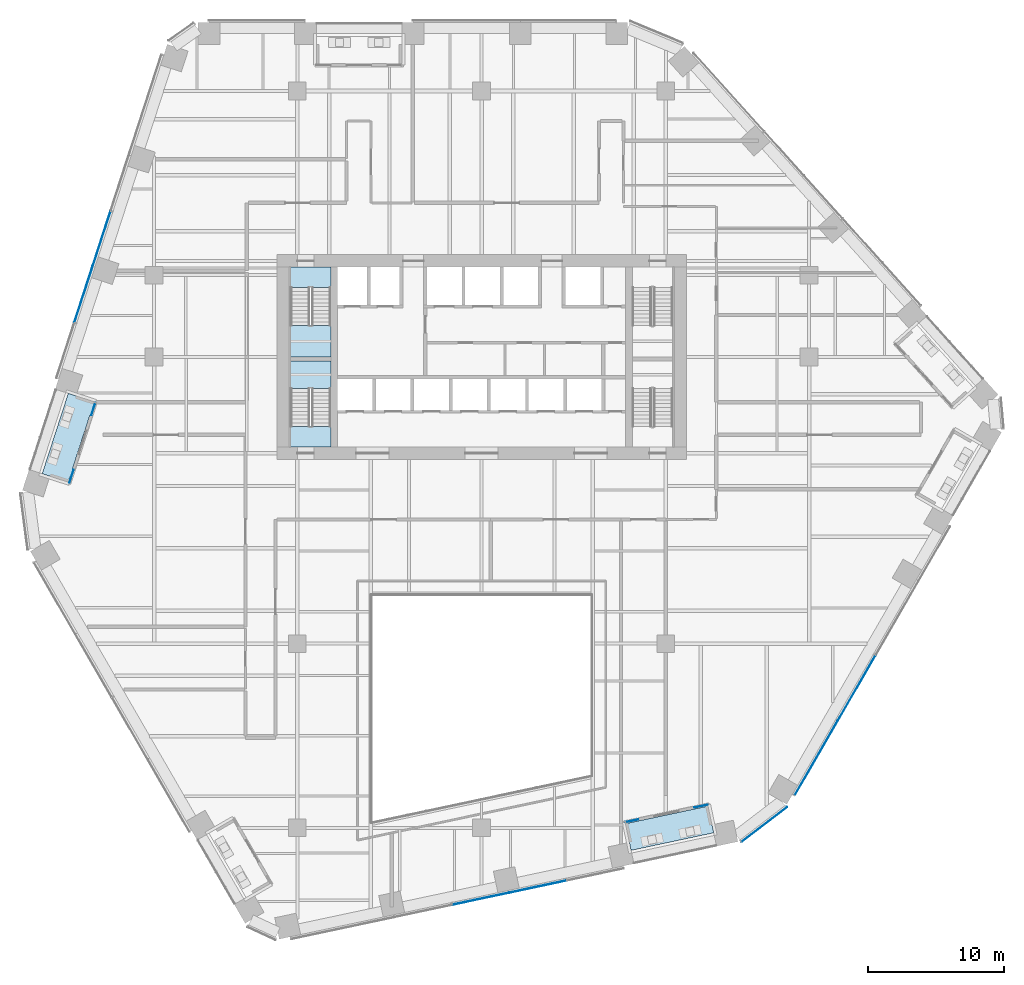
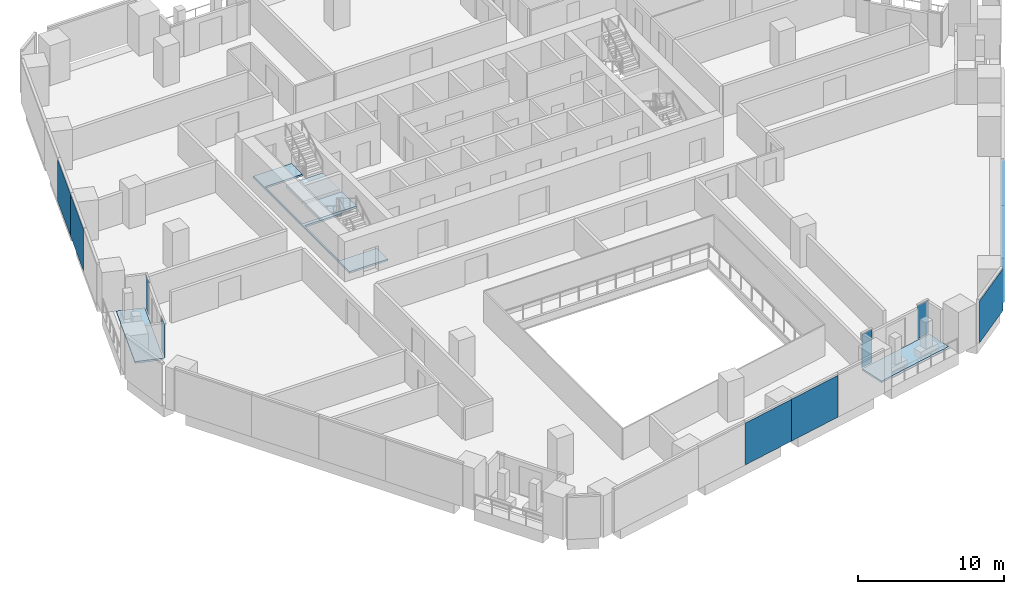
# One storey, part 18 of 31: 11 plates, 5 slabs, 8 elements without a shape of their own.
"""IFC4 building model written with IfcOpenShell, lengths in metres."""

from ifc_helpers import new_model, si_unit, direction, frame, origin, origin_2d, place, context, subcontext, project, spatial, polyline, rectangle, outline, extrude, material, layer, layer_set, type_object, element, aggregate, save


model = new_model("IFC4")

# Units and contexts
model_context = context("Model", 3, precision=1e-05, world=origin(), true_north=direction((0.0, 1.0)))
body_context = subcontext(model_context, "Body", "Model", "MODEL_VIEW")
ifc_project = project(units=[si_unit("LENGTHUNIT", "METRE"), si_unit("AREAUNIT", "SQUARE_METRE"), si_unit("VOLUMEUNIT", "CUBIC_METRE"), si_unit("PLANEANGLEUNIT", "RADIAN"), si_unit("MASSUNIT", "GRAM", prefix="KILO")], contexts=[model_context])

# Site, building, storey
site_placement = place(None, origin())
site = spatial("IfcSite", under=ifc_project, at=site_placement, CompositionType="ELEMENT")
building_placement = place(site_placement, origin())
building = spatial("IfcBuilding", under=site, at=building_placement, Name="Isthmus Gate Tower", CompositionType="ELEMENT")
storey_placement = place(building_placement, frame((0.0, 0.0, 113.5)))
storey = spatial("IfcBuildingStorey", under=building, at=storey_placement, Name="L27", CompositionType="ELEMENT", Elevation=113.5)

# Slab
ifc_material_1 = material(Name="Concrete f'c 40 MPa", Category="concrete")
ifc_layer_1 = layer(ifc_material_1, 0.14990234375)
ifc_layer_set_1 = layer_set([ifc_layer_1], Name="CORE FLOOR SLAB 150")
slab_type_1 = type_object("IfcSlabType", Name="CORE FLOOR SLAB 150", PredefinedType="FLOOR", material=ifc_layer_set_1)
slab_1_placement = place(storey_placement, frame((0.0, 0.0, -0.14990234375)))
element("IfcSlab", 1, at=slab_1_placement, inside=storey, type_object=slab_type_1, Name="L27 core floor", PredefinedType="FLOOR", context=body_context, shape_type="SweptSolid", body=[
    extrude(outline(polyline([(-11.050048828125, 0.89990234375), (-11.050048828125, 2.402099609375), (-14.0, 2.402099609375), (-14.0, 7.199951171875), (-11.050048828125, 7.199951171875), (-11.050048828125, 7.5), (-14.0, 7.5), (-14.0, 12.597900390625), (-11.050048828125, 12.597900390625), (-11.050048828125, 14.10009765625), (-14.10009765625, 14.10009765625), (-14.10009765625, 0.89990234375), (-11.050048828125, 0.89990234375)])), origin(), (0.0, 0.0, 1.0), 0.14990234375),
])

# Curtain wall, plates
ifc_material_2 = material(Name="Aluminium, pale champagne anodised", Category="aluminium")
ifc_layer_2 = layer(ifc_material_2, 0.199951171875)
ifc_layer_set_2 = layer_set([ifc_layer_2], Name="CW-1 UNITISED CURTAIN WALL 200 DEEP")
curtain_wall_type_1 = type_object("IfcCurtainWallType", Name="CW-1 UNITISED CURTAIN WALL 200 DEEP", PredefinedType="NOTDEFINED", material=ifc_layer_set_2)
curtain_wall_1_placement = place(storey_placement, origin())
curtain_wall_1 = element("IfcCurtainWall", 2, at=curtain_wall_1_placement, inside=storey, type_object=curtain_wall_type_1, Name="CW-1 NW L27", PredefinedType="NOTDEFINED")
ifc_material_3 = material(Name="Laminated low-iron glass, pale blue tint", Category="glass")
ifc_layer_3 = layer(ifc_material_3, 0.0400390625)
ifc_layer_set_3 = layer_set([ifc_layer_3], Name="CW-1 CLEAR GLASS LITE 40")
plate_type_1 = type_object("IfcPlateType", Name="CW-1 CLEAR GLASS LITE 40", PredefinedType="CURTAIN_PANEL", material=ifc_layer_set_3)
plate_1_placement = place(storey_placement, frame((-27.8544921875, 16.146484375, 0.0), z_axis=(0.0, 0.0, 1.0), x_axis=(-0.309016994375, -0.951056516295, 0.0)))
plate_1 = element("IfcPlate", 3, at=plate_1_placement, type_object=plate_type_1, Name="CW-1 glass lite", PredefinedType="CURTAIN_PANEL", context=body_context, shape_type="SweptSolid", body=[
    extrude(rectangle(XDim=4.234619140625, YDim=0.0400390625, at=origin_2d()), origin(), (0.0, 0.0, 1.0), 3.5),
])
plate_2_placement = place(storey_placement, frame((-29.17236328125, 12.09033203125, 0.0), z_axis=(0.0, 0.0, 1.0), x_axis=(-0.309016994375, -0.951056516295, 0.0)))
plate_2 = element("IfcPlate", 4, at=plate_2_placement, type_object=plate_type_1, Name="CW-1 glass lite", PredefinedType="CURTAIN_PANEL", context=body_context, shape_type="SweptSolid", body=[
    extrude(rectangle(XDim=4.294677734375, YDim=0.0400390625, at=origin_2d()), origin(), (0.0, 0.0, 1.0), 3.5),
])
aggregate(curtain_wall_1, [plate_1, plate_2])

curtain_wall_2_placement = place(storey_placement, origin())
curtain_wall_2 = element("IfcCurtainWall", 5, at=curtain_wall_2_placement, inside=storey, type_object=curtain_wall_type_1, Name="CW-1 S L27", PredefinedType="NOTDEFINED")
plate_3_placement = place(storey_placement, frame((-0.055908203125, -32.19580078125, 0.0), z_axis=(0.0, 0.0, 1.0), x_axis=(0.978147600734, 0.207911690818, 0.0)))
plate_3 = element("IfcPlate", 6, at=plate_3_placement, type_object=plate_type_1, Name="CW-1 glass lite", PredefinedType="CURTAIN_PANEL", context=body_context, shape_type="SweptSolid", body=[
    extrude(rectangle(XDim=4.234619140625, YDim=0.0400390625, at=origin_2d()), origin(), (0.0, 0.0, 1.0), 3.5),
])
plate_4_placement = place(storey_placement, frame((4.115478515625, -31.309326171875, 0.0), z_axis=(0.0, 0.0, 1.0), x_axis=(0.978147600734, 0.207911690818, 0.0)))
plate_4 = element("IfcPlate", 7, at=plate_4_placement, type_object=plate_type_1, Name="CW-1 glass lite", PredefinedType="CURTAIN_PANEL", context=body_context, shape_type="SweptSolid", body=[
    extrude(rectangle(XDim=4.294677734375, YDim=0.0400390625, at=origin_2d()), origin(), (0.0, 0.0, 1.0), 3.5),
])
aggregate(curtain_wall_2, [plate_3, plate_4])

# Curtain wall, plate
curtain_wall_3_placement = place(storey_placement, origin())
curtain_wall_3 = element("IfcCurtainWall", 8, at=curtain_wall_3_placement, inside=storey, type_object=curtain_wall_type_1, Name="CW-1 S-SE L27", PredefinedType="NOTDEFINED")
plate_5_placement = place(storey_placement, frame((20.711669921875, -26.75732421875, 0.0), z_axis=(0.0, 0.0, 1.0), x_axis=(0.794188594387, 0.607671355706, 0.0)))
plate_5 = element("IfcPlate", 9, at=plate_5_placement, type_object=plate_type_1, Name="CW-1 glass lite", PredefinedType="CURTAIN_PANEL", context=body_context, shape_type="SweptSolid", body=[
    extrude(rectangle(XDim=4.181396484375, YDim=0.0400390625, at=origin_2d()), origin(), (0.0, 0.0, 1.0), 3.5),
])
aggregate(curtain_wall_3, [plate_5])

# Curtain wall, plates
curtain_wall_4_placement = place(storey_placement, origin())
curtain_wall_4 = element("IfcCurtainWall", 10, at=curtain_wall_4_placement, inside=storey, type_object=curtain_wall_type_1, Name="CW-1 SE L27", PredefinedType="NOTDEFINED")
plate_6_placement = place(storey_placement, frame((24.517333984375, -21.89453125, 0.0), z_axis=(0.0, 0.0, 1.0), x_axis=(0.5, 0.866025403784, 0.0)))
plate_6 = element("IfcPlate", 11, at=plate_6_placement, type_object=plate_type_1, Name="CW-1 glass lite", PredefinedType="CURTAIN_PANEL", context=body_context, shape_type="SweptSolid", body=[
    extrude(rectangle(XDim=6.278564453125, YDim=0.0400390625, at=origin_2d()), origin(), (0.0, 0.0, 1.0), 3.5),
])
plate_7_placement = place(storey_placement, frame((27.4716796875, -16.777587890625, 0.0), z_axis=(0.0, 0.0, 1.0), x_axis=(0.5, 0.866025403784, 0.0)))
plate_7 = element("IfcPlate", 12, at=plate_7_placement, type_object=plate_type_1, Name="CW-1 glass lite", PredefinedType="CURTAIN_PANEL", context=body_context, shape_type="SweptSolid", body=[
    extrude(rectangle(XDim=5.53857421875, YDim=0.0400390625, at=origin_2d()), origin(), (0.0, 0.0, 1.0), 3.5),
])
aggregate(curtain_wall_4, [plate_6, plate_7])

ifc_material_4 = material(Name="Aluminium, pale champagne anodised", Category="aluminium")
ifc_layer_4 = layer(ifc_material_4, 0.14990234375)
ifc_layer_set_4 = layer_set([ifc_layer_4], Name="CW-6 LOGGIA BACK WALL GLAZING 150 DEEP")
curtain_wall_type_2 = type_object("IfcCurtainWallType", Name="CW-6 LOGGIA BACK WALL GLAZING 150 DEEP", PredefinedType="NOTDEFINED", material=ifc_layer_set_4)
curtain_wall_5_placement = place(storey_placement, origin())
curtain_wall_5 = element("IfcCurtainWall", 13, at=curtain_wall_5_placement, inside=storey, type_object=curtain_wall_type_2, Name="CW-6 NW L27", PredefinedType="NOTDEFINED")
ifc_material_5 = material(Name="Laminated low-iron glass, clear", Category="glass")
ifc_layer_5 = layer(ifc_material_5, 0.031982421875)
ifc_layer_set_5 = layer_set([ifc_layer_5], Name="CW-6 CLEAR GLASS LITE 32")
plate_type_2 = type_object("IfcPlateType", Name="CW-6 CLEAR GLASS LITE 32", PredefinedType="CURTAIN_PANEL", material=ifc_layer_set_5)
plate_8_placement = place(storey_placement, frame((-28.453857421875, 3.687744140625, 0.0), z_axis=(0.0, 0.0, 1.0), x_axis=(-0.309016994375, -0.951056516295, 0.0)))
plate_8 = element("IfcPlate", 14, at=plate_8_placement, type_object=plate_type_2, Name="CW-6 glass lite", PredefinedType="CURTAIN_PANEL", context=body_context, shape_type="SweptSolid", body=[
    extrude(rectangle(XDim=0.9345703125, YDim=0.031982421875, at=origin_2d()), origin(), (0.0, 0.0, 1.0), 2.780029296875),
])
plate_9_placement = place(storey_placement, frame((-30.0498046875, -1.22412109375, 0.0), z_axis=(0.0, 0.0, 1.0), x_axis=(-0.309016994375, -0.951056516295, 0.0)))
plate_9 = element("IfcPlate", 15, at=plate_9_placement, type_object=plate_type_2, Name="CW-6 glass lite", PredefinedType="CURTAIN_PANEL", context=body_context, shape_type="SweptSolid", body=[
    extrude(rectangle(XDim=0.99462890625, YDim=0.031982421875, at=origin_2d()), origin(), (0.0, 0.0, 1.0), 2.780029296875),
])
aggregate(curtain_wall_5, [plate_8, plate_9])

curtain_wall_6_placement = place(storey_placement, origin())
curtain_wall_6 = element("IfcCurtainWall", 16, at=curtain_wall_6_placement, inside=storey, type_object=curtain_wall_type_2, Name="CW-6 S L27", PredefinedType="NOTDEFINED")
plate_10_placement = place(storey_placement, frame((11.033203125, -26.485595703125, 0.0), z_axis=(0.0, 0.0, 1.0), x_axis=(0.978147600734, 0.207911690818, 0.0)))
plate_10 = element("IfcPlate", 17, at=plate_10_placement, type_object=plate_type_2, Name="CW-6 glass lite", PredefinedType="CURTAIN_PANEL", context=body_context, shape_type="SweptSolid", body=[
    extrude(rectangle(XDim=0.9345703125, YDim=0.031982421875, at=origin_2d()), origin(), (0.0, 0.0, 1.0), 2.780029296875),
])
plate_11_placement = place(storey_placement, frame((16.0849609375, -25.411865234375, 0.0), z_axis=(0.0, 0.0, 1.0), x_axis=(0.978147600734, 0.207911690818, 0.0)))
plate_11 = element("IfcPlate", 18, at=plate_11_placement, type_object=plate_type_2, Name="CW-6 glass lite", PredefinedType="CURTAIN_PANEL", context=body_context, shape_type="SweptSolid", body=[
    extrude(rectangle(XDim=0.99462890625, YDim=0.031982421875, at=origin_2d()), origin(), (0.0, 0.0, 1.0), 2.780029296875),
])
aggregate(curtain_wall_6, [plate_10, plate_11])

# Slabs
ifc_material_6 = material(Name="Concrete f'c 50 MPa", Category="concrete")
ifc_layer_6 = layer(ifc_material_6, 0.14990234375)
ifc_layer_set_6 = layer_set([ifc_layer_6], Name="LOGGIA FLOOR SLAB 150")
slab_type_2 = type_object("IfcSlabType", Name="LOGGIA FLOOR SLAB 150", PredefinedType="FLOOR", material=ifc_layer_set_6)
slab_2_placement = place(storey_placement, frame((0.0, 0.0, -0.14990234375)))
element("IfcSlab", 19, at=slab_2_placement, inside=storey, type_object=slab_type_2, Name="LOGGIA FLOOR", PredefinedType="FLOOR", context=body_context, shape_type="SweptSolid", body=[
    extrude(outline(polyline([(-30.2880859375, 4.838134765625), (-32.20068359375, -1.048095703125), (-30.298583984375, -1.666259765625), (-28.385986328125, 4.22021484375), (-30.2880859375, 4.838134765625)])), origin(), (0.0, 0.0, 1.0), 0.14990234375),
])
slab_3_placement = place(storey_placement, frame((0.0, 0.0, -0.14990234375)))
element("IfcSlab", 20, at=slab_3_placement, inside=storey, type_object=slab_type_2, Name="LOGGIA FLOOR", PredefinedType="FLOOR", context=body_context, shape_type="SweptSolid", body=[
    extrude(outline(polyline([(10.953857421875, -28.6494140625), (17.008056640625, -27.362548828125), (16.59228515625, -25.40625), (10.5380859375, -26.693115234375), (10.953857421875, -28.6494140625)])), origin(), (0.0, 0.0, 1.0), 0.14990234375),
])

# Stair, slab
ifc_material_7 = material(Name="Concrete f'c 40 MPa", Category="concrete")
stair_type = type_object("IfcStairType", Name="CORE STAIR 22 RISERS", PredefinedType="HALF_TURN_STAIR", material=ifc_material_7)
stair_1_placement = place(storey_placement, origin())
stair_1 = element("IfcStair", 21, at=stair_1_placement, inside=storey, type_object=stair_type, Name="L27 Exit Stair 1", PredefinedType="HALF_TURN_STAIR")
ifc_material_8 = material(Name="Concrete f'c 40 MPa", Category="concrete")
ifc_layer_7 = layer(ifc_material_8, 0.199951171875)
ifc_layer_set_7 = layer_set([ifc_layer_7])
slab_type_3 = type_object("IfcSlabType", Name="STAIR LANDING RC 200", PredefinedType="LANDING", material=ifc_layer_set_7)
slab_4_placement = place(storey_placement, frame((0.0, 0.0, 1.625)))
slab_4 = element("IfcSlab", 22, at=slab_4_placement, type_object=slab_type_3, Name="ST1 landing 1", PredefinedType="LANDING", context=body_context, shape_type="SweptSolid", body=[
    extrude(outline(polyline([(-14.0, 9.800048828125), (-14.0, 7.5), (-11.050048828125, 7.5), (-11.050048828125, 9.800048828125), (-14.0, 9.800048828125)])), origin(), (0.0, 0.0, 1.0), 0.199951171875),
])
aggregate(stair_1, [slab_4])

stair_2_placement = place(storey_placement, origin())
stair_2 = element("IfcStair", 23, at=stair_2_placement, inside=storey, type_object=stair_type, Name="L27 Exit Stair 7", PredefinedType="HALF_TURN_STAIR")
slab_5_placement = place(storey_placement, frame((0.0, 0.0, 1.625)))
slab_5 = element("IfcSlab", 24, at=slab_5_placement, type_object=slab_type_3, Name="ST7 landing 1", PredefinedType="LANDING", context=body_context, shape_type="SweptSolid", body=[
    extrude(outline(polyline([(-11.050048828125, 5.199951171875), (-11.050048828125, 7.199951171875), (-14.0, 7.199951171875), (-14.0, 5.199951171875), (-11.050048828125, 5.199951171875)])), origin(), (0.0, 0.0, 1.0), 0.199951171875),
])
aggregate(stair_2, [slab_5])

save(model, "model.ifc")
